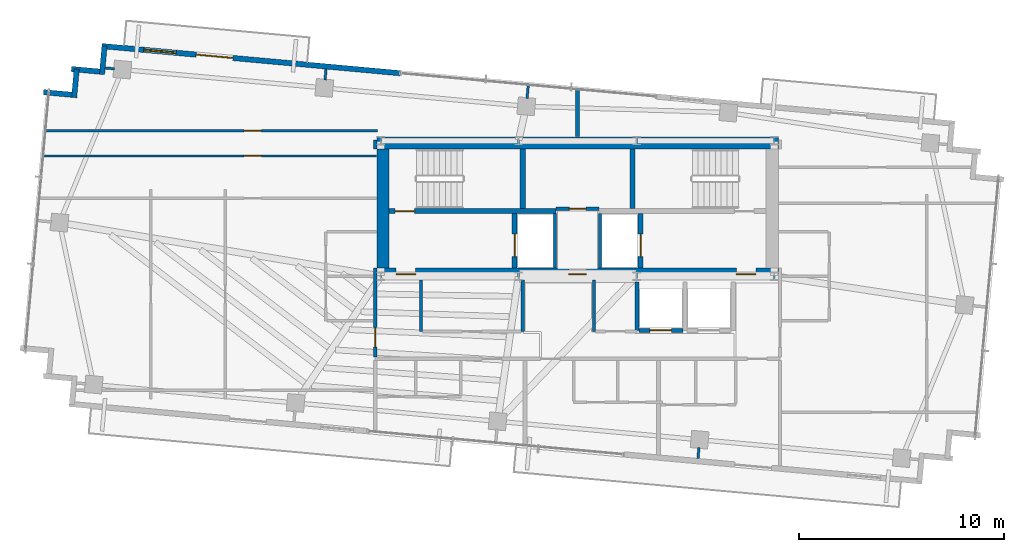
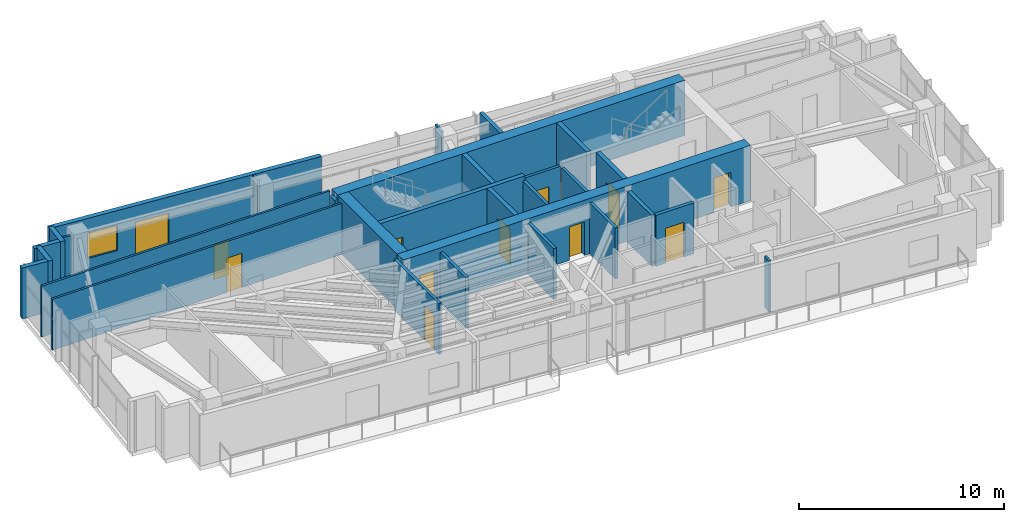
# One storey, part 17 of 22: 30 walls, 12 doors, 1 window, 13 openings.
"""IFC4 building model written with IfcOpenShell, lengths in metres."""

from ifc_helpers import new_model, si_unit, direction, frame, frame_2d, origin, place, context, subcontext, project, spatial, rectangle, extrude, source, transform, mapped, material, layer, layer_set, type_object, type_shapes, element, fill, save


model = new_model("IFC4")

# Units and contexts
model_context = context("Model", 3, precision=1e-05, world=origin(), true_north=direction((0.0, 1.0)))
body_context = subcontext(model_context, "Body", "Model", "MODEL_VIEW")
ifc_project = project(units=[si_unit("LENGTHUNIT", "METRE"), si_unit("AREAUNIT", "SQUARE_METRE"), si_unit("VOLUMEUNIT", "CUBIC_METRE"), si_unit("PLANEANGLEUNIT", "RADIAN"), si_unit("MASSUNIT", "GRAM", prefix="KILO")], contexts=[model_context])

# Site, building, storey
site_placement = place(None, origin())
site = spatial("IfcSite", under=ifc_project, at=site_placement, CompositionType="ELEMENT")
building_placement = place(site_placement, origin())
building = spatial("IfcBuilding", under=site, at=building_placement, Name="Astriad Promenade Condominiums", CompositionType="ELEMENT")
storey_placement = place(building_placement, frame((0.0, 0.0, 243.0)))
storey = spatial("IfcBuildingStorey", under=building, at=storey_placement, Name="L70", CompositionType="ELEMENT", Elevation=243.0)

# Wall, openings, doors
ifc_material_1 = material(Name="Concrete C50/60", Category="concrete")
ifc_layer_1 = layer(ifc_material_1, 0.60009765625)
ifc_layer_set_1 = layer_set([ifc_layer_1], Name="Concrete C50/60")
wall_type_1 = type_object("IfcWallType", Name="CW-SHEAR-600", PredefinedType="SHEAR", material=ifc_layer_set_1)
wall_1_placement = place(storey_placement, frame((26.199951171875, 17.5, 0.0), z_axis=(0.0, 0.0, 1.0), x_axis=(1.0, 0.0, 0.0)))
wall_1 = element("IfcWall", 1, at=wall_1_placement, inside=storey, type_object=wall_type_1, Name="CW-CORE-S-L70", PredefinedType="SHEAR", context=body_context, shape_type="SweptSolid", body=[
    extrude(rectangle(XDim=19.60009765625, YDim=0.60009765625, at=frame_2d((9.800048828125, 0.0))), origin(), (0.0, 0.0, 1.0), 3.300048828125),
])
opening_1_placement = place(wall_1_placement, frame((0.949951171875, 0.0, 0.0)))
opening_1 = element("IfcOpeningElement", 2, at=opening_1_placement, cuts=wall_1, Name="Opening FD90-ST-095", PredefinedType="OPENING", context=body_context, shape_type="SweptSolid", body=[
    extrude(rectangle(XDim=0.949951171875, YDim=2.06005859375, at=frame_2d((0.47509765625, 1.030029296875))), frame((0.0, 0.31005859375, 0.0), z_axis=(0.0, -1.0, 0.0), x_axis=(1.0, 0.0, 0.0)), (0.0, 0.0, 1.0), 0.6201171875),
])
opening_2_placement = place(wall_1_placement, frame((9.3798828125, 0.0, 0.0)))
opening_2 = element("IfcOpeningElement", 3, at=opening_2_placement, cuts=wall_1, Name="Opening FD60-ULOW-085", PredefinedType="OPENING", context=body_context, shape_type="SweptSolid", body=[
    extrude(rectangle(XDim=0.85009765625, YDim=2.0, at=frame_2d((0.425048828125, 1.0))), frame((0.0, 0.31005859375, 0.0), z_axis=(0.0, -1.0, 0.0), x_axis=(1.0, 0.0, 0.0)), (0.0, 0.0, 1.0), 0.6201171875),
])
opening_3_placement = place(wall_1_placement, frame((17.550048828125, 0.0, 0.0)))
opening_3 = element("IfcOpeningElement", 4, at=opening_3_placement, cuts=wall_1, Name="Opening FD90-ST-095", PredefinedType="OPENING", context=body_context, shape_type="SweptSolid", body=[
    extrude(rectangle(XDim=0.949951171875, YDim=2.06005859375, at=frame_2d((0.47509765625, 1.030029296875))), frame((0.0, 0.31005859375, 0.0), z_axis=(0.0, -1.0, 0.0), x_axis=(1.0, 0.0, 0.0)), (0.0, 0.0, 1.0), 0.6201171875),
])
ifc_material_2 = material(Name="Fire-Rated Hollow Metal Stair Door")
door_type_1 = type_object("IfcDoorType", Name="FD90-ST-095", OperationType="NOTDEFINED", PredefinedType="DOOR", material=ifc_material_2)
shared_shape_1 = source(origin(), body_context, "Body", "SweptSolid", [
    extrude(rectangle(XDim=0.949951171875, YDim=2.06005859375, at=frame_2d((0.47509765625, 1.030029296875))), frame((0.0, 0.02490234375, 0.0), z_axis=(0.0, -1.0, 0.0), x_axis=(1.0, 0.0, 0.0)), (0.0, 0.0, 1.0), 0.050048828125),
])
type_shapes(door_type_1, [shared_shape_1])
door_1_placement = place(opening_1_placement, origin())
door_1 = element("IfcDoor", 5, at=door_1_placement, inside=storey, type_object=door_type_1, Name="D-FFW-L70", OperationType="SINGLE_SWING_LEFT", OverallHeight=2.06005859375, OverallWidth=0.949951171875, PredefinedType="DOOR", context=body_context, shape_type="MappedRepresentation", body=[
    mapped(shared_shape_1, transform((0.0, 0.0, 0.0), scale=1.0)),
])
fill(opening_1, door_1)
door_2_placement = place(opening_3_placement, origin())
door_2 = element("IfcDoor", 6, at=door_2_placement, inside=storey, type_object=door_type_1, Name="D-FFE-L70", OperationType="SINGLE_SWING_RIGHT", OverallHeight=2.06005859375, OverallWidth=0.949951171875, PredefinedType="DOOR", context=body_context, shape_type="MappedRepresentation", body=[
    mapped(shared_shape_1, transform((0.0, 0.0, 0.0), scale=1.0)),
])
fill(opening_3, door_2)
ifc_material_3 = material(Name="Solid-Core Low-Headroom Fire Door")
door_type_2 = type_object("IfcDoorType", Name="FD60-ULOW-085", OperationType="NOTDEFINED", PredefinedType="DOOR", material=ifc_material_3)
shared_shape_2 = source(origin(), body_context, "Body", "SweptSolid", [
    extrude(rectangle(XDim=0.85009765625, YDim=2.0, at=frame_2d((0.425048828125, 1.0))), frame((0.0, 0.02490234375, 0.0), z_axis=(0.0, -1.0, 0.0), x_axis=(1.0, 0.0, 0.0)), (0.0, 0.0, 1.0), 0.050048828125),
])
type_shapes(door_type_2, [shared_shape_2])
door_3_placement = place(opening_2_placement, origin())
door_3 = element("IfcDoor", 7, at=door_3_placement, inside=storey, type_object=door_type_2, Name="D-CSL-L70", OperationType="SINGLE_SWING_RIGHT", OverallHeight=2.0, OverallWidth=0.85009765625, PredefinedType="DOOR", context=body_context, shape_type="MappedRepresentation", body=[
    mapped(shared_shape_2, transform((0.0, 0.0, 0.0), scale=1.0)),
])
fill(opening_2, door_3)

# Walls
wall_2_placement = place(storey_placement, frame((26.199951171875, 23.89990234375, 0.0), z_axis=(0.0, 0.0, 1.0), x_axis=(1.0, 0.0, 0.0)))
element("IfcWall", 8, at=wall_2_placement, inside=storey, type_object=wall_type_1, Name="CW-CORE-N-L70", PredefinedType="SHEAR", context=body_context, shape_type="SweptSolid", body=[
    extrude(rectangle(XDim=19.60009765625, YDim=0.60009765625, at=frame_2d((9.800048828125, 0.0))), origin(), (0.0, 0.0, 1.0), 3.300048828125),
])
wall_3_placement = place(storey_placement, frame((26.5, 17.802001953125, 0.0), z_axis=(0.0, 0.0, 1.0), x_axis=(0.0, 1.0, 0.0)))
element("IfcWall", 9, at=wall_3_placement, inside=storey, type_object=wall_type_1, Name="CW-CORE-W-L70", PredefinedType="SHEAR", context=body_context, shape_type="SweptSolid", body=[
    extrude(rectangle(XDim=5.7958984375, YDim=0.60009765625, at=frame_2d((2.89794921875, 0.0))), origin(), (0.0, 0.0, 1.0), 3.300048828125),
])

# Wall, opening, door
ifc_layer_2 = layer(ifc_material_1, 0.25)
ifc_layer_set_2 = layer_set([ifc_layer_2], Name="Concrete C50/60")
wall_type_2 = type_object("IfcWallType", Name="WALL-CORE-INT-250", PredefinedType="SOLIDWALL", material=ifc_layer_set_2)
wall_4_placement = place(storey_placement, frame((26.802001953125, 20.574951171875, 0.0), z_axis=(0.0, 0.0, 1.0), x_axis=(1.0, 0.0, 0.0)))
wall_4 = element("IfcWall", 10, at=wall_4_placement, inside=storey, type_object=wall_type_2, Name="CW-INT-H1-L70", PredefinedType="SOLIDWALL", context=body_context, shape_type="SweptSolid", body=[
    extrude(rectangle(XDim=8.14794921875, YDim=0.25, at=frame_2d((4.073974609375, 0.0))), origin(), (0.0, 0.0, 1.0), 3.300048828125),
])
opening_4_placement = place(wall_4_placement, frame((0.298095703125, 0.0, 0.0)))
opening_4 = element("IfcOpeningElement", 11, at=opening_4_placement, cuts=wall_4, Name="Opening FD90-ST-095", PredefinedType="OPENING", context=body_context, shape_type="SweptSolid", body=[
    extrude(rectangle(XDim=0.949951171875, YDim=2.06005859375, at=frame_2d((0.47509765625, 1.030029296875))), frame((0.0, 0.135009765625, 0.0), z_axis=(0.0, -1.0, 0.0), x_axis=(1.0, 0.0, 0.0)), (0.0, 0.0, 1.0), 0.27001953125),
])
door_4_placement = place(opening_4_placement, origin())
door_4 = element("IfcDoor", 12, at=door_4_placement, inside=storey, type_object=door_type_1, Name="D-ST1-L70", OperationType="SINGLE_SWING_RIGHT", OverallHeight=2.06005859375, OverallWidth=0.949951171875, PredefinedType="DOOR", context=body_context, shape_type="MappedRepresentation", body=[
    mapped(shared_shape_1, transform((0.0, 0.0, 0.0), scale=1.0)),
])
fill(opening_4, door_4)

# Walls
for number, where, z_axis, x_axis, name in (
    (13, (33.324951171875, 20.701904296875, 0.0), (0.0, 0.0, 1.0), (0.0, 1.0, 0.0), "CW-ST1-E-L70"),
    (14, (38.675048828125, 20.701904296875, 0.0), (0.0, 0.0, 1.0), (0.0, 1.0, 0.0), "CW-ST2-W-L70"),
):
    element("IfcWall", number, at=place(storey_placement, frame(where, z_axis=z_axis, x_axis=x_axis)), inside=storey, type_object=wall_type_2, Name=name, PredefinedType="SOLIDWALL", context=body_context, shape_type="SweptSolid", body=[
        extrude(rectangle(XDim=2.89599609375, YDim=0.25, at=frame_2d((1.447998046875, 0.0))), origin(), (0.0, 0.0, 1.0), 3.300048828125),
    ])

# Wall, opening, door
wall_5_placement = place(storey_placement, frame((32.925048828125, 17.802001953125, 0.0), z_axis=(0.0, 0.0, 1.0), x_axis=(0.0, 1.0, 0.0)))
wall_5 = element("IfcWall", 15, at=wall_5_placement, inside=storey, type_object=wall_type_2, Name="CW-FFL1-W-L70", PredefinedType="SOLIDWALL", context=body_context, shape_type="SweptSolid", body=[
    extrude(rectangle(XDim=2.64599609375, YDim=0.25, at=frame_2d((1.322998046875, 0.0))), origin(), (0.0, 0.0, 1.0), 3.300048828125),
])
opening_5_placement = place(wall_5_placement, frame((0.548095703125, 0.0, 0.0)))
opening_5 = element("IfcOpeningElement", 16, at=opening_5_placement, cuts=wall_5, Name="Opening LD-FFL-1122", PredefinedType="OPENING", context=body_context, shape_type="SweptSolid", body=[
    extrude(rectangle(XDim=1.10009765625, YDim=2.080078125, at=frame_2d((0.550048828125, 1.0400390625))), frame((0.0, 0.135009765625, 0.0), z_axis=(0.0, -1.0, 0.0), x_axis=(1.0, 0.0, 0.0)), (0.0, 0.0, 1.0), 0.27001953125),
])
ifc_material_4 = material(Name="Brushed Stainless Steel Fire Elevator Landing Door", Category="steel")
door_type_3 = type_object("IfcDoorType", Name="LD-FFL-1122", OperationType="NOTDEFINED", PredefinedType="DOOR", material=ifc_material_4)
shared_shape_3 = source(origin(), body_context, "Body", "SweptSolid", [
    extrude(rectangle(XDim=1.10009765625, YDim=2.080078125, at=frame_2d((0.550048828125, 1.0400390625))), frame((0.0, 0.02490234375, 0.0), z_axis=(0.0, -1.0, 0.0), x_axis=(1.0, 0.0, 0.0)), (0.0, 0.0, 1.0), 0.050048828125),
])
type_shapes(door_type_3, [shared_shape_3])
door_5_placement = place(opening_5_placement, origin())
door_5 = element("IfcDoor", 17, at=door_5_placement, inside=storey, type_object=door_type_3, Name="Elevator Landing Door FFL-1 (L70)", OperationType="SLIDING_TO_LEFT", OverallHeight=2.080078125, OverallWidth=1.10009765625, PredefinedType="DOOR", context=body_context, shape_type="MappedRepresentation", body=[
    mapped(shared_shape_3, transform((0.0, 0.0, 0.0), scale=1.0)),
])
fill(opening_5, door_5)

wall_6_placement = place(storey_placement, frame((39.074951171875, 17.802001953125, 0.0), z_axis=(0.0, 0.0, 1.0), x_axis=(0.0, 1.0, 0.0)))
wall_6 = element("IfcWall", 18, at=wall_6_placement, inside=storey, type_object=wall_type_2, Name="CW-FFL2-E-L70", PredefinedType="SOLIDWALL", context=body_context, shape_type="SweptSolid", body=[
    extrude(rectangle(XDim=2.64599609375, YDim=0.25, at=frame_2d((1.322998046875, 0.0))), origin(), (0.0, 0.0, 1.0), 3.300048828125),
])
opening_6_placement = place(wall_6_placement, frame((0.548095703125, 0.0, 0.0)))
opening_6 = element("IfcOpeningElement", 19, at=opening_6_placement, cuts=wall_6, Name="Opening LD-FFL-1122", PredefinedType="OPENING", context=body_context, shape_type="SweptSolid", body=[
    extrude(rectangle(XDim=1.10009765625, YDim=2.080078125, at=frame_2d((0.550048828125, 1.0400390625))), frame((0.0, 0.135009765625, 0.0), z_axis=(0.0, -1.0, 0.0), x_axis=(1.0, 0.0, 0.0)), (0.0, 0.0, 1.0), 0.27001953125),
])
door_6_placement = place(opening_6_placement, origin())
door_6 = element("IfcDoor", 20, at=door_6_placement, inside=storey, type_object=door_type_3, Name="Elevator Landing Door FFL-2 (L70)", OperationType="SLIDING_TO_RIGHT", OverallHeight=2.080078125, OverallWidth=1.10009765625, PredefinedType="DOOR", context=body_context, shape_type="MappedRepresentation", body=[
    mapped(shared_shape_3, transform((0.0, 0.0, 0.0), scale=1.0)),
])
fill(opening_6, door_6)

# Walls
ifc_material_5 = material(Name="Fire-Rated Gypsum Partition")
ifc_layer_3 = layer(ifc_material_5, 0.159912109375)
ifc_layer_set_3 = layer_set([ifc_layer_3], Name="Fire-Rated Gypsum Partition")
wall_type_3 = type_object("IfcWallType", Name="WALL-CORR-160", PredefinedType="PARTITIONING", material=ifc_layer_set_3)
for number, where, z_axis, x_axis, name in (
    (21, (34.89990234375, 17.802001953125, 0.0), (0.0, 0.0, 1.0), (0.0, 1.0, 0.0), "CW-FFL1-E-L70"),
    (22, (37.10009765625, 17.802001953125, 0.0), (0.0, 0.0, 1.0), (0.0, 1.0, 0.0), "CW-FFL2-W-L70"),
):
    element("IfcWall", number, at=place(storey_placement, frame(where, z_axis=z_axis, x_axis=x_axis)), inside=storey, type_object=wall_type_3, Name=name, PredefinedType="PARTITIONING", context=body_context, shape_type="SweptSolid", body=[
        extrude(rectangle(XDim=2.64599609375, YDim=0.159912109375, at=frame_2d((1.322998046875, 0.0))), origin(), (0.0, 0.0, 1.0), 3.0400390625),
    ])

# Wall, opening, door
wall_7_placement = place(storey_placement, frame((34.949951171875, 20.68994140625, 0.0), z_axis=(0.0, 0.0, 1.0), x_axis=(1.0, 0.0, 0.0)))
wall_7 = element("IfcWall", 23, at=wall_7_placement, inside=storey, type_object=wall_type_3, Name="CW-AUX-S-L70", PredefinedType="PARTITIONING", context=body_context, shape_type="SweptSolid", body=[
    extrude(rectangle(XDim=2.10009765625, YDim=0.159912109375, at=frame_2d((1.050048828125, 0.0))), origin(), (0.0, 0.0, 1.0), 3.0400390625),
])
opening_7_placement = place(wall_7_placement, frame((0.64990234375, 0.0, 0.0)))
opening_7 = element("IfcOpeningElement", 24, at=opening_7_placement, cuts=wall_7, Name="Opening FD60-SV-080", PredefinedType="OPENING", context=body_context, shape_type="SweptSolid", body=[
    extrude(rectangle(XDim=0.800048828125, YDim=2.050048828125, at=frame_2d((0.39990234375, 1.02490234375))), frame((0.0, 0.08984375, 0.0), z_axis=(0.0, -1.0, 0.0), x_axis=(1.0, 0.0, 0.0)), (0.0, 0.0, 1.0), 0.179931640625),
])
ifc_material_6 = material(Name="Fire-Rated Riser Closet Door")
door_type_4 = type_object("IfcDoorType", Name="FD60-SV-080", OperationType="NOTDEFINED", PredefinedType="DOOR", material=ifc_material_6)
shared_shape_4 = source(origin(), body_context, "Body", "SweptSolid", [
    extrude(rectangle(XDim=0.800048828125, YDim=2.050048828125, at=frame_2d((0.39990234375, 1.02490234375))), frame((0.0, 0.02490234375, 0.0), z_axis=(0.0, -1.0, 0.0), x_axis=(1.0, 0.0, 0.0)), (0.0, 0.0, 1.0), 0.050048828125),
])
type_shapes(door_type_4, [shared_shape_4])
door_7_placement = place(opening_7_placement, origin())
door_7 = element("IfcDoor", 25, at=door_7_placement, inside=storey, type_object=door_type_4, Name="D-AUX1-L70", OperationType="SINGLE_SWING_RIGHT", OverallHeight=2.050048828125, OverallWidth=0.800048828125, PredefinedType="DOOR", context=body_context, shape_type="MappedRepresentation", body=[
    mapped(shared_shape_4, transform((0.0, 0.0, 0.0), scale=1.0)),
])
fill(opening_7, door_7)

wall_8_placement = place(storey_placement, frame((26.1201171875, 13.44189453125, 0.0), z_axis=(0.0, 0.0, 1.0), x_axis=(0.0, 1.0, 0.0)))
wall_8 = element("IfcWall", 26, at=wall_8_placement, inside=storey, type_object=wall_type_3, Name="PT-COR-W-L70-S2", PredefinedType="PARTITIONING", context=body_context, shape_type="SweptSolid", body=[
    extrude(rectangle(XDim=4.360107421875, YDim=0.159912109375, at=frame_2d((2.18017578125, 0.0))), origin(), (0.0, 0.0, 1.0), 3.0400390625),
])
opening_8_placement = place(wall_8_placement, frame((0.492919921875, 0.0, 0.0)))
opening_8 = element("IfcOpeningElement", 27, at=opening_8_placement, cuts=wall_8, Name="Opening FD60-APT-095", PredefinedType="OPENING", context=body_context, shape_type="SweptSolid", body=[
    extrude(rectangle(XDim=0.949951171875, YDim=2.06005859375, at=frame_2d((0.47509765625, 1.030029296875))), frame((0.0, 0.08984375, 0.0), z_axis=(0.0, -1.0, 0.0), x_axis=(1.0, 0.0, 0.0)), (0.0, 0.0, 1.0), 0.179931640625),
])
ifc_material_7 = material(Name="Solid-Core Acoustic Timber Residence Entry Door", Category="wood")
door_type_5 = type_object("IfcDoorType", Name="FD60-APT-095", OperationType="NOTDEFINED", PredefinedType="DOOR", material=ifc_material_7)
shared_shape_5 = source(origin(), body_context, "Body", "SweptSolid", [
    extrude(rectangle(XDim=0.949951171875, YDim=2.06005859375, at=frame_2d((0.47509765625, 1.030029296875))), frame((0.0, 0.02490234375, 0.0), z_axis=(0.0, -1.0, 0.0), x_axis=(1.0, 0.0, 0.0)), (0.0, 0.0, 1.0), 0.050048828125),
])
type_shapes(door_type_5, [shared_shape_5])
door_8_placement = place(opening_8_placement, origin())
door_8 = element("IfcDoor", 28, at=door_8_placement, inside=storey, type_object=door_type_5, Name="D-ENT-L70-W1", OperationType="SINGLE_SWING_RIGHT", OverallHeight=2.06005859375, OverallWidth=0.949951171875, PredefinedType="DOOR", context=body_context, shape_type="MappedRepresentation", body=[
    mapped(shared_shape_5, transform((0.0, 0.0, 0.0), scale=1.0)),
])
fill(opening_8, door_8)

# Walls
wall_9_placement = place(storey_placement, frame((26.1201171875, 23.597900390625, 0.0), z_axis=(0.0, 0.0, 1.0), x_axis=(0.0, 1.0, 0.0)))
element("IfcWall", 29, at=wall_9_placement, inside=storey, type_object=wall_type_3, Name="PT-COR-W-L70-S3", PredefinedType="PARTITIONING", context=body_context, shape_type="SweptSolid", body=[
    extrude(rectangle(XDim=0.4521484375, YDim=0.159912109375, at=frame_2d((0.22607421875, 0.0))), origin(), (0.0, 0.0, 1.0), 3.0400390625),
])
for number, where, z_axis, x_axis, name in (
    (30, (28.360107421875, 14.699951171875, 0.0), (0.0, 0.0, 1.0), (0.0, 1.0, 0.0), "PT-Z3REC-W-L70"),
    (31, (33.320068359375, 14.699951171875, 0.0), (0.0, 0.0, 1.0), (0.0, 1.0, 0.0), "PT-Z3REC-E-L70"),
    (32, (36.800048828125, 14.699951171875, 0.0), (0.0, 0.0, 1.0), (0.0, 1.0, 0.0), "PT-Z3R2-W-L70"),
):
    element("IfcWall", number, at=place(storey_placement, frame(where, z_axis=z_axis, x_axis=x_axis)), inside=storey, type_object=wall_type_3, Name=name, PredefinedType="PARTITIONING", context=body_context, shape_type="SweptSolid", body=[
        extrude(rectangle(XDim=2.498046875, YDim=0.159912109375, at=frame_2d((1.2490234375, 0.0))), origin(), (0.0, 0.0, 1.0), 3.0400390625),
    ])
ifc_material_8 = material(Name="Acoustic Double-Stud Gypsum Partition")
ifc_layer_4 = layer(ifc_material_8, 0.199951171875)
ifc_layer_set_4 = layer_set([ifc_layer_4], Name="Acoustic Double-Stud Gypsum Partition")
wall_type_4 = type_object("IfcWallType", Name="WALL-DEMISING-200", PredefinedType="PARTITIONING", material=ifc_layer_set_4)
wall_10_placement = place(storey_placement, frame((36.0, 24.201904296875, 0.0), z_axis=(0.0, 0.0, 1.0), x_axis=(0.0, 1.0, 0.0)))
element("IfcWall", 33, at=wall_10_placement, inside=storey, type_object=wall_type_4, Name="PT-NC-MID-L70", PredefinedType="PARTITIONING", context=body_context, shape_type="SweptSolid", body=[
    extrude(rectangle(XDim=2.36328125, YDim=0.199951171875, at=frame_2d((1.181640625, 0.0))), origin(), (0.0, 0.0, 1.0), 3.0400390625),
])
ifc_material_9 = material(Name="Precast concrete C50/60", Category="concrete")
ifc_layer_5 = layer(ifc_material_9, 0.260009765625)
ifc_layer_set_5 = layer_set([ifc_layer_5], Name="Precast concrete C50/60")
wall_type_5 = type_object("IfcWallType", Name="WALL-EXT-TWR-260", PredefinedType="STANDARD", material=ifc_layer_set_5)
for number, where, z_axis, x_axis, name in (
    (34, (9.93505859375, 26.376708984375, 0.0), (0.0, 0.0, 1.0), (0.995881721538, -0.090661991521, 0.0), "W-SER-L70-04"),
    (35, (11.427001953125, 26.110595703125, 0.0), (0.0, 0.0, 1.0), (0.090835571917, 0.995865904063, 0.0), "W-SER-L70-05"),
):
    element("IfcWall", number, at=place(storey_placement, frame(where, z_axis=z_axis, x_axis=x_axis)), inside=storey, type_object=wall_type_5, Name=name, PredefinedType="STANDARD", context=body_context, shape_type="SweptSolid", body=[
        extrude(rectangle(XDim=1.39501953125, YDim=0.260009765625, at=frame_2d((0.697509765625, 0.0))), origin(), (0.0, 0.0, 1.0), 3.0400390625),
    ])
wall_11_placement = place(storey_placement, frame((11.293212890625, 27.50830078125, 0.0), z_axis=(0.0, 0.0, 1.0), x_axis=(0.995883159782, -0.090646191665, 0.0)))
element("IfcWall", 36, at=wall_11_placement, inside=storey, type_object=wall_type_5, Name="W-SER-L70-06", PredefinedType="STANDARD", context=body_context, shape_type="SweptSolid", body=[
    extrude(rectangle(XDim=1.395263671875, YDim=0.260009765625, at=frame_2d((0.69775390625, 0.0))), origin(), (0.0, 0.0, 1.0), 3.0400390625),
])
wall_12_placement = place(storey_placement, frame((12.785400390625, 27.241943359375, 0.0), z_axis=(0.0, 0.0, 1.0), x_axis=(0.090472632758, 0.995898942023, 0.0)))
element("IfcWall", 37, at=wall_12_placement, inside=storey, type_object=wall_type_5, Name="W-SER-L70-07", PredefinedType="STANDARD", context=body_context, shape_type="SweptSolid", body=[
    extrude(rectangle(XDim=1.39501953125, YDim=0.260009765625, at=frame_2d((0.697509765625, 0.0))), origin(), (0.0, 0.0, 1.0), 3.0400390625),
])

# Wall, openings, door, window
wall_13_placement = place(storey_placement, frame((12.78076171875, 28.628173828125, 0.0), z_axis=(0.0, 0.0, 1.0), x_axis=(0.995884584572, -0.090630536861, 0.0)))
wall_13 = element("IfcWall", 38, at=wall_13_placement, inside=storey, type_object=wall_type_5, Name="W-EXT-L70-N1", PredefinedType="STANDARD", context=body_context, shape_type="SweptSolid", body=[
    extrude(rectangle(XDim=14.630126953125, YDim=0.260009765625, at=frame_2d((7.31494140625, 0.0))), origin(), (0.0, 0.0, 1.0), 3.0400390625),
])
opening_9_placement = place(wall_13_placement, frame((4.625, 0.0, 0.0)))
opening_9 = element("IfcOpeningElement", 39, at=opening_9_placement, cuts=wall_13, Name="Opening BD-1822-SLD", PredefinedType="OPENING", context=body_context, shape_type="SweptSolid", body=[
    extrude(rectangle(XDim=1.800048828125, YDim=2.06005859375, at=frame_2d((0.89990234375, 1.030029296875))), frame((0.0, 0.139892578125, 0.0), z_axis=(0.0, -1.0, 0.0), x_axis=(1.0, 0.0, 0.0)), (0.0, 0.0, 1.0), 0.280029296875),
])
opening_10_placement = place(wall_13_placement, frame((2.050048828125, 0.0, 0.64990234375)))
opening_10 = element("IfcOpeningElement", 40, at=opening_10_placement, cuts=wall_13, Name="Opening WIN-TWR-1620", PredefinedType="OPENING", context=body_context, shape_type="SweptSolid", body=[
    extrude(rectangle(XDim=1.60009765625, YDim=1.5, at=frame_2d((0.800048828125, 0.75))), frame((0.0, 0.139892578125, 0.0), z_axis=(0.0, -1.0, 0.0), x_axis=(1.0, 0.0, 0.0)), (0.0, 0.0, 1.0), 0.280029296875),
])
ifc_material_10 = material(Name="Thermally Broken Aluminium Sliding Balcony Door", Category="aluminium")
door_type_6 = type_object("IfcDoorType", Name="BD-1822-SLD", OperationType="NOTDEFINED", PredefinedType="DOOR", material=ifc_material_10)
shared_shape_6 = source(origin(), body_context, "Body", "SweptSolid", [
    extrude(rectangle(XDim=1.800048828125, YDim=2.06005859375, at=frame_2d((0.89990234375, 1.030029296875))), frame((0.0, 0.02490234375, 0.0), z_axis=(0.0, -1.0, 0.0), x_axis=(1.0, 0.0, 0.0)), (0.0, 0.0, 1.0), 0.050048828125),
])
type_shapes(door_type_6, [shared_shape_6])
door_9_placement = place(opening_9_placement, origin())
door_9 = element("IfcDoor", 41, at=door_9_placement, inside=storey, type_object=door_type_6, Name="BD-L70-NW", OperationType="SLIDING_TO_LEFT", OverallHeight=2.06005859375, OverallWidth=1.800048828125, PredefinedType="DOOR", context=body_context, shape_type="MappedRepresentation", body=[
    mapped(shared_shape_6, transform((0.0, 0.0, 0.0), scale=1.0)),
])
fill(opening_9, door_9)
ifc_material_11 = material(Name="Dark Tinted Triple-Glazed Aluminium Window", Category="aluminium")
window_type = type_object("IfcWindowType", Name="WIN-TWR-1620", PartitioningType="SINGLE_PANEL", PredefinedType="WINDOW", material=ifc_material_11)
shared_shape_7 = source(origin(), body_context, "Body", "SweptSolid", [
    extrude(rectangle(XDim=1.60009765625, YDim=1.5, at=frame_2d((0.800048828125, 0.75))), frame((0.0, 0.030029296875, 0.0), z_axis=(0.0, -1.0, 0.0), x_axis=(1.0, 0.0, 0.0)), (0.0, 0.0, 1.0), 0.06005859375),
])
type_shapes(window_type, [shared_shape_7])
window_placement = place(opening_10_placement, origin())
window = element("IfcWindow", 42, at=window_placement, inside=storey, type_object=window_type, Name="WIN-L70-NW", OverallHeight=1.5, OverallWidth=1.60009765625, PartitioningType="SINGLE_PANEL", PredefinedType="WINDOW", context=body_context, shape_type="MappedRepresentation", body=[
    mapped(shared_shape_7, transform((0.0, 0.0, 0.0), scale=1.0)),
])
fill(opening_10, window)

# Wall, opening, door
ifc_material_12 = material(Name="Acoustic Metal-Stud Gypsum Partition")
ifc_layer_6 = layer(ifc_material_12, 0.1201171875)
ifc_layer_set_6 = layer_set([ifc_layer_6], Name="Acoustic Metal-Stud Gypsum Partition")
wall_type_6 = type_object("IfcWallType", Name="WALL-PART-120", PredefinedType="PARTITIONING", material=ifc_layer_set_6)
wall_14_placement = place(storey_placement, frame((9.974609375, 24.491943359375, 0.0), z_axis=(0.0, 0.0, 1.0), x_axis=(1.0, 0.0, 0.0)))
wall_14 = element("IfcWall", 43, at=wall_14_placement, inside=storey, type_object=wall_type_6, Name="PT-L70-W1-WDN1", PredefinedType="PARTITIONING", context=body_context, shape_type="SweptSolid", body=[
    extrude(rectangle(XDim=16.265380859375, YDim=0.1201171875, at=frame_2d((8.1328125, 0.0))), origin(), (0.0, 0.0, 1.0), 3.0400390625),
])
opening_11_placement = place(wall_14_placement, frame((9.74755859375, 0.0, 0.0)))
opening_11 = element("IfcOpeningElement", 44, at=opening_11_placement, cuts=wall_14, Name="Opening D-INT-085", PredefinedType="OPENING", context=body_context, shape_type="SweptSolid", body=[
    extrude(rectangle(XDim=0.85009765625, YDim=2.050048828125, at=frame_2d((0.425048828125, 1.02490234375))), frame((0.0, 0.070068359375, 0.0), z_axis=(0.0, -1.0, 0.0), x_axis=(1.0, 0.0, 0.0)), (0.0, 0.0, 1.0), 0.14013671875),
])
ifc_material_13 = material(Name="Painted Solid-Core Timber Room Door", Category="wood")
door_type_7 = type_object("IfcDoorType", Name="D-INT-085", OperationType="NOTDEFINED", PredefinedType="DOOR", material=ifc_material_13)
shared_shape_8 = source(origin(), body_context, "Body", "SweptSolid", [
    extrude(rectangle(XDim=0.85009765625, YDim=2.050048828125, at=frame_2d((0.425048828125, 1.02490234375))), frame((0.0, 0.02490234375, 0.0), z_axis=(0.0, -1.0, 0.0), x_axis=(1.0, 0.0, 0.0)), (0.0, 0.0, 1.0), 0.050048828125),
])
type_shapes(door_type_7, [shared_shape_8])
door_10_placement = place(opening_11_placement, origin())
door_10 = element("IfcDoor", 45, at=door_10_placement, inside=storey, type_object=door_type_7, Name="D-WDN1-L70-W1", OperationType="SINGLE_SWING_LEFT", OverallHeight=2.050048828125, OverallWidth=0.85009765625, PredefinedType="DOOR", context=body_context, shape_type="MappedRepresentation", body=[
    mapped(shared_shape_8, transform((0.0, 0.0, 0.0), scale=1.0)),
])
fill(opening_11, door_10)

wall_15_placement = place(storey_placement, frame((9.862548828125, 23.262939453125, 0.0), z_axis=(0.0, 0.0, 1.0), x_axis=(1.0, 0.0, 0.0)))
wall_15 = element("IfcWall", 46, at=wall_15_placement, inside=storey, type_object=wall_type_6, Name="PT-L70-W1-WDN2", PredefinedType="PARTITIONING", context=body_context, shape_type="SweptSolid", body=[
    extrude(rectangle(XDim=16.33544921875, YDim=0.1201171875, at=frame_2d((8.167724609375, 0.0))), origin(), (0.0, 0.0, 1.0), 3.0400390625),
])
opening_12_placement = place(wall_15_placement, frame((9.859375, 0.0, 0.0)))
opening_12 = element("IfcOpeningElement", 47, at=opening_12_placement, cuts=wall_15, Name="Opening D-INT-085", PredefinedType="OPENING", context=body_context, shape_type="SweptSolid", body=[
    extrude(rectangle(XDim=0.85009765625, YDim=2.050048828125, at=frame_2d((0.425048828125, 1.02490234375))), frame((0.0, 0.070068359375, 0.0), z_axis=(0.0, -1.0, 0.0), x_axis=(1.0, 0.0, 0.0)), (0.0, 0.0, 1.0), 0.14013671875),
])
door_11_placement = place(opening_12_placement, origin())
door_11 = element("IfcDoor", 48, at=door_11_placement, inside=storey, type_object=door_type_7, Name="D-WDN2-L70-W1", OperationType="SINGLE_SWING_RIGHT", OverallHeight=2.050048828125, OverallWidth=0.85009765625, PredefinedType="DOOR", context=body_context, shape_type="MappedRepresentation", body=[
    mapped(shared_shape_8, transform((0.0, 0.0, 0.0), scale=1.0)),
])
fill(opening_12, door_11)

# Walls
wall_16_placement = place(storey_placement, frame((41.92529296875, 9.0361328125, 0.0), z_axis=(0.0, 0.0, 1.0), x_axis=(-0.090740281653, -0.995874591144, 0.0)))
element("IfcWall", 49, at=wall_16_placement, inside=storey, type_object=wall_type_6, Name="PT-PIL-L70-PC04-11", PredefinedType="PARTITIONING", context=body_context, shape_type="SweptSolid", body=[
    extrude(rectangle(XDim=0.5380859375, YDim=0.1201171875, at=frame_2d((0.26904296875, 0.0))), origin(), (0.0, 0.0, 1.0), 3.0400390625),
])
wall_17_placement = place(storey_placement, frame((13.40283203125, 27.51708984375, 0.0), z_axis=(0.0, 0.0, 1.0), x_axis=(-0.995884462012, 0.090631883588, 0.0)))
element("IfcWall", 50, at=wall_17_placement, inside=storey, type_object=wall_type_6, Name="PT-PIL-L70-PC06-13", PredefinedType="PARTITIONING", context=body_context, shape_type="SweptSolid", body=[
    extrude(rectangle(XDim=0.4580078125, YDim=0.1201171875, at=frame_2d((0.22900390625, 0.0))), origin(), (0.0, 0.0, 1.0), 3.0400390625),
])
wall_18_placement = place(storey_placement, frame((23.6748046875, 26.9638671875, 0.0), z_axis=(0.0, 0.0, 1.0), x_axis=(0.090740281653, 0.995874591144, 0.0)))
element("IfcWall", 51, at=wall_18_placement, inside=storey, type_object=wall_type_6, Name="PT-PIL-L70-PC07-14", PredefinedType="PARTITIONING", context=body_context, shape_type="SweptSolid", body=[
    extrude(rectangle(XDim=0.5380859375, YDim=0.1201171875, at=frame_2d((0.26904296875, 0.0))), origin(), (0.0, 0.0, 1.0), 3.0400390625),
])
wall_19_placement = place(storey_placement, frame((33.5341796875, 26.066650390625, 0.0), z_axis=(0.0, 0.0, 1.0), x_axis=(0.090535746043, 0.995893206468, 0.0)))
element("IfcWall", 52, at=wall_19_placement, inside=storey, type_object=wall_type_6, Name="PT-PIL-L70-PC08-15", PredefinedType="PARTITIONING", context=body_context, shape_type="SweptSolid", body=[
    extrude(rectangle(XDim=0.719970703125, YDim=0.1201171875, at=frame_2d((0.35986328125, 0.0))), origin(), (0.0, 0.0, 1.0), 3.0400390625),
])
ifc_material_14 = material(Name="Gypsum Shaftliner Assembly")
ifc_layer_7 = layer(ifc_material_14, 0.199951171875)
ifc_layer_set_7 = layer_set([ifc_layer_7], Name="Gypsum Shaftliner Assembly")
wall_type_7 = type_object("IfcWallType", Name="WALL-SHAFT-200", PredefinedType="PARTITIONING", material=ifc_layer_set_7)
wall_20_placement = place(storey_placement, frame((38.89990234375, 14.75, 0.0), z_axis=(0.0, 0.0, 1.0), x_axis=(0.0, 1.0, 0.0)))
element("IfcWall", 53, at=wall_20_placement, inside=storey, type_object=wall_type_7, Name="PL-MH-DIV-L70", PredefinedType="PARTITIONING", context=body_context, shape_type="SweptSolid", body=[
    extrude(rectangle(XDim=2.35009765625, YDim=0.199951171875, at=frame_2d((1.175048828125, 0.0))), origin(), (0.0, 0.0, 1.0), 3.0400390625),
])

# Wall, opening, door
wall_21_placement = place(storey_placement, frame((39.001953125, 14.75, 0.0), z_axis=(0.0, 0.0, 1.0), x_axis=(1.0, 0.0, 0.0)))
wall_21 = element("IfcWall", 54, at=wall_21_placement, inside=storey, type_object=wall_type_7, Name="PL-H-FRT-L70", PredefinedType="PARTITIONING", context=body_context, shape_type="SweptSolid", body=[
    extrude(rectangle(XDim=2.14599609375, YDim=0.199951171875, at=frame_2d((1.072998046875, 0.0))), origin(), (0.0, 0.0, 1.0), 3.0400390625),
])
opening_13_placement = place(wall_21_placement, frame((0.52294921875, 0.0, 0.0)))
opening_13 = element("IfcOpeningElement", 55, at=opening_13_placement, cuts=wall_21, Name="Opening LD-PL-10522", PredefinedType="OPENING", context=body_context, shape_type="SweptSolid", body=[
    extrude(rectangle(XDim=1.050048828125, YDim=2.080078125, at=frame_2d((0.52490234375, 1.0400390625))), frame((0.0, 0.10986328125, 0.0), z_axis=(0.0, -1.0, 0.0), x_axis=(1.0, 0.0, 0.0)), (0.0, 0.0, 1.0), 0.219970703125),
])
ifc_material_15 = material(Name="Brushed Bronze Passenger Elevator Landing Door")
door_type_8 = type_object("IfcDoorType", Name="LD-PL-10522", OperationType="NOTDEFINED", PredefinedType="DOOR", material=ifc_material_15)
shared_shape_9 = source(origin(), body_context, "Body", "SweptSolid", [
    extrude(rectangle(XDim=1.050048828125, YDim=2.080078125, at=frame_2d((0.52490234375, 1.0400390625))), frame((0.0, 0.02490234375, 0.0), z_axis=(0.0, -1.0, 0.0), x_axis=(1.0, 0.0, 0.0)), (0.0, 0.0, 1.0), 0.050048828125),
])
type_shapes(door_type_8, [shared_shape_9])
door_12_placement = place(opening_13_placement, origin())
door_12 = element("IfcDoor", 56, at=door_12_placement, inside=storey, type_object=door_type_8, Name="Elevator Landing Door PL-H1 (L70)", OperationType="SLIDING_TO_LEFT", OverallHeight=2.080078125, OverallWidth=1.050048828125, PredefinedType="DOOR", context=body_context, shape_type="MappedRepresentation", body=[
    mapped(shared_shape_9, transform((0.0, 0.0, 0.0), scale=1.0)),
])
fill(opening_13, door_12)

save(model, "model.ifc")
